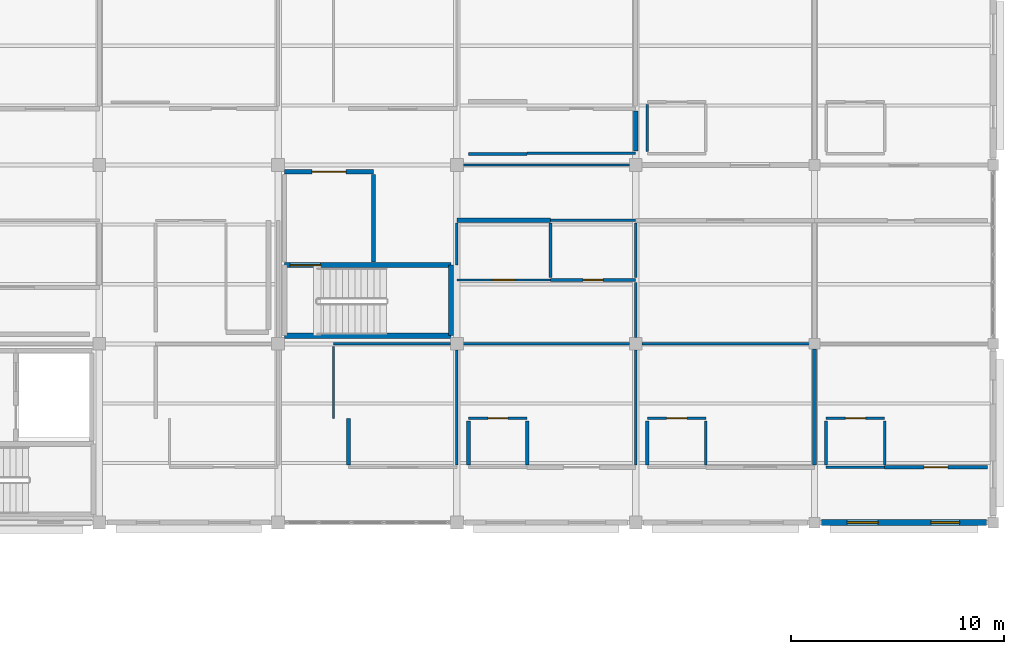
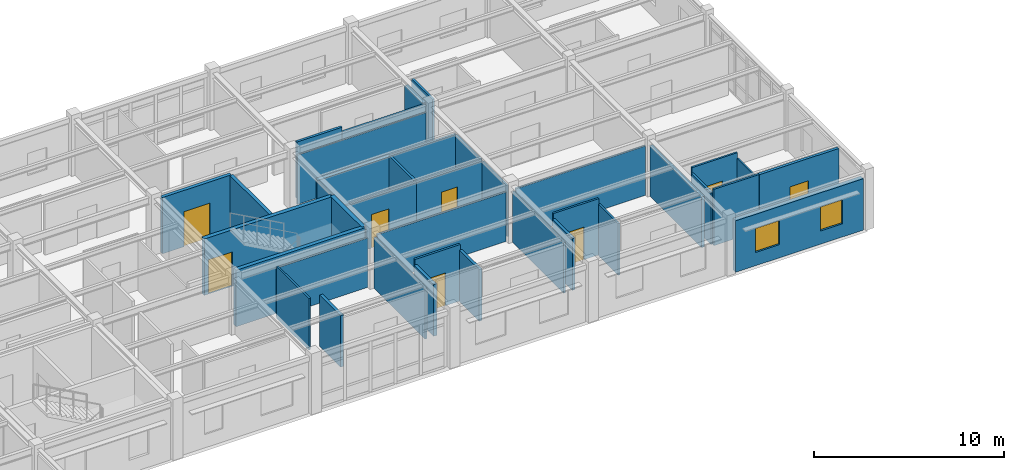
# One storey, part 68 of 86: 38 walls, 8 doors, 2 windows, 10 openings.
"""IFC4 building model written with IfcOpenShell, lengths in metres."""

from ifc_helpers import new_model, si_unit, direction, frame, frame_2d, origin, place, context, subcontext, project, spatial, rectangle, extrude, material, layer, layer_set, type_object, element, fill, save


model = new_model("IFC4")

# Units and contexts
model_context = context("Model", 3, precision=1e-05, world=origin(), true_north=direction((0.0, 1.0)))
body_context = subcontext(model_context, "Body", "Model", "MODEL_VIEW")
ifc_project = project(units=[si_unit("LENGTHUNIT", "METRE"), si_unit("AREAUNIT", "SQUARE_METRE"), si_unit("VOLUMEUNIT", "CUBIC_METRE"), si_unit("PLANEANGLEUNIT", "RADIAN"), si_unit("MASSUNIT", "GRAM", prefix="KILO")], contexts=[model_context])

# Site, building, storey
site_placement = place(None, origin())
site = spatial("IfcSite", under=ifc_project, at=site_placement, CompositionType="ELEMENT")
building_placement = place(site_placement, origin())
building = spatial("IfcBuilding", under=site, at=building_placement, Name="Bramfleet General Hospital", CompositionType="ELEMENT")
storey_placement = place(building_placement, frame((0.0, 0.0, 18.60009765625)))
storey = spatial("IfcBuildingStorey", under=building, at=storey_placement, Name="L04", CompositionType="ELEMENT", Elevation=18.60009765625)

# Wall, openings, windows
ifc_material_1 = material(Name="Precast concrete C40/50", Category="concrete")
ifc_layer_1 = layer(ifc_material_1, 0.280029296875, Name="WT-EW-06")
ifc_layer_set_1 = layer_set([ifc_layer_1], Name="Precast concrete C40/50")
wall_type_1 = type_object("IfcWallType", Name="WT-EW-06", PredefinedType="SOLIDWALL", material=ifc_layer_set_1)
wall_1_placement = place(storey_placement, frame((167.675048828125, 92.39990234375, 0.0), z_axis=(0.0, 0.0, 1.0), x_axis=(-1.0, 0.0, 0.0)))
wall_1 = element("IfcWall", 1, at=wall_1_placement, inside=storey, type_object=wall_type_1, Name="L04 Exterior Wall 298", PredefinedType="SOLIDWALL", context=body_context, shape_type="SweptSolid", body=[
    extrude(rectangle(XDim=7.75, YDim=0.280029296875, at=frame_2d((3.875, 0.0))), origin(), (0.0, 0.0, 1.0), 3.2998046875),
])
opening_1_placement = place(wall_1_placement, frame((1.262451171875, 0.0, 0.85009765625)))
opening_1 = element("IfcOpeningElement", 2, at=opening_1_placement, cuts=wall_1, Name="Opening W-24", PredefinedType="OPENING", context=body_context, shape_type="SweptSolid", body=[
    extrude(rectangle(XDim=1.35009765625, YDim=1.5400390625, at=frame_2d((0.675048828125, 0.77001953125))), frame((0.0, 0.14990234375, 0.0), z_axis=(0.0, -1.0, 0.0), x_axis=(1.0, 0.0, 0.0)), (0.0, 0.0, 1.0), 0.300048828125),
])
opening_2_placement = place(wall_1_placement, frame((5.08740234375, 0.0, 0.85009765625)))
opening_2 = element("IfcOpeningElement", 3, at=opening_2_placement, cuts=wall_1, Name="Opening W-25", PredefinedType="OPENING", context=body_context, shape_type="SweptSolid", body=[
    extrude(rectangle(XDim=1.449951171875, YDim=1.5400390625, at=frame_2d((0.72509765625, 0.77001953125))), frame((0.0, 0.14990234375, 0.0), z_axis=(0.0, -1.0, 0.0), x_axis=(1.0, 0.0, 0.0)), (0.0, 0.0, 1.0), 0.300048828125),
])
ifc_material_2 = material(Name="Anodised aluminium and low-E triple glazing", Category="aluminium")
window_type_1 = type_object("IfcWindowType", Name="WIN-W-24", PartitioningType="SINGLE_PANEL", PredefinedType="WINDOW", material=ifc_material_2)
window_1_placement = place(opening_1_placement, origin())
window_1 = element("IfcWindow", 4, at=window_1_placement, inside=storey, type_object=window_type_1, Name="L04 Facade Window WIN-L04-298-1", OverallHeight=1.5400390625, OverallWidth=1.35009765625, PartitioningType="SINGLE_PANEL", PredefinedType="WINDOW", context=body_context, shape_type="SweptSolid", body=[
    extrude(rectangle(XDim=1.35009765625, YDim=1.5400390625, at=frame_2d((0.675048828125, 0.77001953125))), frame((0.0, 0.030029296875, 0.0), z_axis=(0.0, -1.0, 0.0), x_axis=(1.0, 0.0, 0.0)), (0.0, 0.0, 1.0), 0.06005859375),
])
fill(opening_1, window_1)
window_type_2 = type_object("IfcWindowType", Name="WIN-W-25", PartitioningType="SINGLE_PANEL", PredefinedType="WINDOW", material=ifc_material_2)
window_2_placement = place(opening_2_placement, origin())
window_2 = element("IfcWindow", 5, at=window_2_placement, inside=storey, type_object=window_type_2, Name="L04 Facade Window WIN-L04-298-2", OverallHeight=1.5400390625, OverallWidth=1.449951171875, PartitioningType="SINGLE_PANEL", PredefinedType="WINDOW", context=body_context, shape_type="SweptSolid", body=[
    extrude(rectangle(XDim=1.449951171875, YDim=1.5400390625, at=frame_2d((0.72509765625, 0.77001953125))), frame((0.0, 0.030029296875, 0.0), z_axis=(0.0, -1.0, 0.0), x_axis=(1.0, 0.0, 0.0)), (0.0, 0.0, 1.0), 0.06005859375),
])
fill(opening_2, window_2)

# Walls
ifc_material_3 = material(Name="Concrete C35/45", Category="concrete")
ifc_layer_2 = layer(ifc_material_3, 0.219970703125, Name="WT-IW-01")
ifc_layer_set_2 = layer_set([ifc_layer_2], Name="Concrete C35/45")
wall_type_2 = type_object("IfcWallType", Name="WT-IW-01", PredefinedType="PARTITIONING", material=ifc_layer_set_2)
wall_2_placement = place(storey_placement, frame((142.800048828125, 106.60009765625, 0.0), z_axis=(0.0, 0.0, 1.0), x_axis=(1.0, 0.0, 0.0)))
element("IfcWall", 6, at=wall_2_placement, inside=storey, type_object=wall_type_2, Name="L04 Interior Partition IW-L04-3241", PredefinedType="PARTITIONING", context=body_context, shape_type="SweptSolid", body=[
    extrude(rectangle(XDim=4.39990234375, YDim=0.219970703125, at=frame_2d((2.199951171875, 0.0))), origin(), (0.0, 0.0, 1.0), 3.260009765625),
])
ifc_layer_3 = layer(ifc_material_3, 0.205078125, Name="WT-IW-02")
ifc_layer_set_3 = layer_set([ifc_layer_3], Name="Concrete C35/45")
wall_type_3 = type_object("IfcWallType", Name="WT-IW-02", PredefinedType="PARTITIONING", material=ifc_layer_set_3)
wall_3_placement = place(storey_placement, frame((138.8798828125, 104.639892578125, 0.0), z_axis=(0.0, 0.0, 1.0), x_axis=(0.0, 1.0, 0.0)))
element("IfcWall", 7, at=wall_3_placement, inside=storey, type_object=wall_type_3, Name="L04 C9 Lobby East Shaft Wall", PredefinedType="PARTITIONING", context=body_context, shape_type="SweptSolid", body=[
    extrude(rectangle(XDim=4.1201171875, YDim=0.205078125, at=frame_2d((2.06005859375, 0.0))), origin(), (0.0, 0.0, 1.0), 3.60986328125),
])

# Wall, opening, door
wall_4_placement = place(storey_placement, frame((134.699951171875, 108.8798828125, 0.0), z_axis=(0.0, 0.0, 1.0), x_axis=(1.0, 0.0, 0.0)))
wall_4 = element("IfcWall", 8, at=wall_4_placement, inside=storey, type_object=wall_type_3, Name="L04 C9 Lobby North Compartment Wall", PredefinedType="PARTITIONING", context=body_context, shape_type="SweptSolid", body=[
    extrude(rectangle(XDim=4.179931640625, YDim=0.205078125, at=frame_2d((2.08984375, 0.0))), origin(), (0.0, 0.0, 1.0), 3.60986328125),
])
opening_3_placement = place(wall_4_placement, frame((1.2900390625, 0.0, 0.0)))
opening_3 = element("IfcOpeningElement", 9, at=opening_3_placement, cuts=wall_4, Name="Opening D0118", PredefinedType="OPENING", context=body_context, shape_type="SweptSolid", body=[
    extrude(rectangle(XDim=1.60009765625, YDim=2.25, at=frame_2d((0.800048828125, 1.125))), frame((0.0, 0.112548828125, 0.0), z_axis=(0.0, -1.0, 0.0), x_axis=(1.0, 0.0, 0.0)), (0.0, 0.0, 1.0), 0.22509765625),
])
ifc_material_4 = material(Name="Stainless steel and acoustic timber leaf", Category="steel")
door_type_1 = type_object("IfcDoorType", Name="DR-D-04", OperationType="NOTDEFINED", PredefinedType="DOOR", material=ifc_material_4)
door_1_placement = place(opening_3_placement, origin())
door_1 = element("IfcDoor", 10, at=door_1_placement, inside=storey, type_object=door_type_1, Name="L04 C9 Lobby Fire Door D0118", OperationType="DOUBLE_SWING_LEFT", OverallHeight=2.25, OverallWidth=1.60009765625, PredefinedType="DOOR", context=body_context, shape_type="SweptSolid", body=[
    extrude(rectangle(XDim=1.60009765625, YDim=2.25, at=frame_2d((0.800048828125, 1.125))), frame((0.0, 0.02490234375, 0.0), z_axis=(0.0, -1.0, 0.0), x_axis=(1.0, 0.0, 0.0)), (0.0, 0.0, 1.0), 0.050048828125),
])
fill(opening_3, door_1)

# Walls
wall_5_placement = place(storey_placement, frame((151.199951171875, 109.864990234375, 0.0), z_axis=(0.0, 0.0, 1.0), x_axis=(0.0, 1.0, 0.0)))
element("IfcWall", 11, at=wall_5_placement, inside=storey, type_object=wall_type_3, Name="L04 Interior Partition IW-L04-3470", PredefinedType="PARTITIONING", context=body_context, shape_type="SweptSolid", body=[
    extrude(rectangle(XDim=1.8701171875, YDim=0.205078125, at=frame_2d((0.93505859375, 0.0))), origin(), (0.0, 0.0, 1.0), 3.260009765625),
])
ifc_layer_4 = layer(ifc_material_3, 0.18994140625, Name="WT-IW-03")
ifc_layer_set_4 = layer_set([ifc_layer_4], Name="Concrete C35/45")
wall_type_4 = type_object("IfcWallType", Name="WT-IW-03", PredefinedType="PARTITIONING", material=ifc_layer_set_4)
wall_6_placement = place(storey_placement, frame((137.699951171875, 95.114990234375, 0.0), z_axis=(0.0, 0.0, 1.0), x_axis=(0.0, 1.0, 0.0)))
element("IfcWall", 12, at=wall_6_placement, inside=storey, type_object=wall_type_4, Name="L04 Interior Partition IW-L04-3447", PredefinedType="PARTITIONING", context=body_context, shape_type="SweptSolid", body=[
    extrude(rectangle(XDim=2.18505859375, YDim=0.18994140625, at=frame_2d((1.092529296875, 0.0))), origin(), (0.0, 0.0, 1.0), 3.309814453125),
])
wall_7_placement = place(storey_placement, frame((143.35009765625, 95.114990234375, 0.0), z_axis=(0.0, 0.0, 1.0), x_axis=(0.0, 1.0, 0.0)))
element("IfcWall", 13, at=wall_7_placement, inside=storey, type_object=wall_type_4, Name="L04 Interior Partition IW-L04-3459", PredefinedType="PARTITIONING", context=body_context, shape_type="SweptSolid", body=[
    extrude(rectangle(XDim=2.070068359375, YDim=0.18994140625, at=frame_2d((1.03515625, 0.0))), origin(), (0.0, 0.0, 1.0), 3.309814453125),
])
wall_8_placement = place(storey_placement, frame((159.60009765625, 95.114990234375, 0.0), z_axis=(0.0, 0.0, 1.0), x_axis=(0.0, 1.0, 0.0)))
element("IfcWall", 14, at=wall_8_placement, inside=storey, type_object=wall_type_4, Name="L04 Interior Partition IW-L04-3483", PredefinedType="PARTITIONING", context=body_context, shape_type="SweptSolid", body=[
    extrude(rectangle(XDim=5.43994140625, YDim=0.18994140625, at=frame_2d((2.719970703125, 0.0))), origin(), (0.0, 0.0, 1.0), 3.25),
])

# Wall, opening, door
ifc_material_5 = material(Name="Gypsum plasterboard on acoustic steel studs", Category="steel")
ifc_layer_5 = layer(ifc_material_5, 0.169921875, Name="WT-IW-05")
ifc_layer_set_5 = layer_set([ifc_layer_5], Name="Gypsum plasterboard on acoustic steel studs")
wall_type_5 = type_object("IfcWallType", Name="WT-IW-05", PredefinedType="PARTITIONING", material=ifc_layer_set_5)
wall_9_placement = place(storey_placement, frame((162.89990234375, 95.0, 0.0), z_axis=(0.0, 0.0, 1.0), x_axis=(1.0, 0.0, 0.0)))
wall_9 = element("IfcWall", 15, at=wall_9_placement, inside=storey, type_object=wall_type_5, Name="L04 Interior Partition IW-L04-3197", PredefinedType="PARTITIONING", context=body_context, shape_type="SweptSolid", body=[
    extrude(rectangle(XDim=4.820068359375, YDim=0.169921875, at=frame_2d((2.41015625, 0.0))), origin(), (0.0, 0.0, 1.0), 3.60986328125),
])
opening_4_placement = place(wall_9_placement, frame((1.85009765625, 0.0, 0.0)))
opening_4 = element("IfcOpeningElement", 16, at=opening_4_placement, cuts=wall_9, Name="Opening D1339", PredefinedType="OPENING", context=body_context, shape_type="SweptSolid", body=[
    extrude(rectangle(XDim=1.1201171875, YDim=2.179931640625, at=frame_2d((0.56005859375, 1.08984375))), frame((0.0, 0.094970703125, 0.0), z_axis=(0.0, -1.0, 0.0), x_axis=(1.0, 0.0, 0.0)), (0.0, 0.0, 1.0), 0.18994140625),
])
door_type_2 = type_object("IfcDoorType", Name="DR-D-27", OperationType="NOTDEFINED", PredefinedType="DOOR", material=ifc_material_4)
door_2_placement = place(opening_4_placement, origin())
door_2 = element("IfcDoor", 17, at=door_2_placement, inside=storey, type_object=door_type_2, Name="Surgical Inpatient Ward Bedroom L04-1911 Door D1339", OperationType="SINGLE_SWING_RIGHT", OverallHeight=2.179931640625, OverallWidth=1.1201171875, PredefinedType="DOOR", context=body_context, shape_type="SweptSolid", body=[
    extrude(rectangle(XDim=1.1201171875, YDim=2.179931640625, at=frame_2d((0.56005859375, 1.08984375))), frame((0.0, 0.02490234375, 0.0), z_axis=(0.0, -1.0, 0.0), x_axis=(1.0, 0.0, 0.0)), (0.0, 0.0, 1.0), 0.050048828125),
])
fill(opening_4, door_2)

# Walls
ifc_layer_6 = layer(ifc_material_5, 0.159912109375, Name="WT-IW-06")
ifc_layer_set_6 = layer_set([ifc_layer_6], Name="Gypsum plasterboard on acoustic steel studs")
wall_type_6 = type_object("IfcWallType", Name="WT-IW-06", PredefinedType="PARTITIONING", material=ifc_layer_set_6)
for number, where, z_axis, x_axis, name in (
    (18, (146.10009765625, 95.114990234375, 0.0), (0.0, 0.0, 1.0), (0.0, 1.0, 0.0), "L04 Interior Partition IW-L04-3462"),
    (19, (151.75, 95.114990234375, 0.0), (0.0, 0.0, 1.0), (0.0, 1.0, 0.0), "L04 Interior Partition IW-L04-3474"),
):
    element("IfcWall", number, at=place(storey_placement, frame(where, z_axis=z_axis, x_axis=x_axis)), inside=storey, type_object=wall_type_6, Name=name, PredefinedType="PARTITIONING", context=body_context, shape_type="SweptSolid", body=[
        extrude(rectangle(XDim=2.070068359375, YDim=0.159912109375, at=frame_2d((1.03515625, 0.0))), origin(), (0.0, 0.0, 1.0), 3.309814453125),
    ])
ifc_layer_7 = layer(ifc_material_5, 0.14990234375, Name="WT-IW-07")
ifc_layer_set_7 = layer_set([ifc_layer_7], Name="Gypsum plasterboard on acoustic steel studs")
wall_type_7 = type_object("IfcWallType", Name="WT-IW-07", PredefinedType="PARTITIONING", material=ifc_layer_set_7)
wall_10_placement = place(storey_placement, frame((143.35009765625, 109.719970703125, 0.0), z_axis=(0.0, 0.0, 1.0), x_axis=(1.0, 0.0, 0.0)))
element("IfcWall", 20, at=wall_10_placement, inside=storey, type_object=wall_type_7, Name="L04 Interior Partition IW-L04-3259", PredefinedType="PARTITIONING", context=body_context, shape_type="SweptSolid", body=[
    extrude(rectangle(XDim=2.75, YDim=0.14990234375, at=frame_2d((1.375, 0.0))), origin(), (0.0, 0.0, 1.0), 3.60986328125),
])
wall_11_placement = place(storey_placement, frame((147.199951171875, 103.9150390625, 0.0), z_axis=(0.0, 0.0, 1.0), x_axis=(0.0, 1.0, 0.0)))
element("IfcWall", 21, at=wall_11_placement, inside=storey, type_object=wall_type_7, Name="L04 Interior Partition IW-L04-3463", PredefinedType="PARTITIONING", context=body_context, shape_type="SweptSolid", body=[
    extrude(rectangle(XDim=2.570068359375, YDim=0.14990234375, at=frame_2d((1.28515625, 0.0))), origin(), (0.0, 0.0, 1.0), 3.309814453125),
])
ifc_layer_8 = layer(ifc_material_5, 0.139892578125, Name="WT-IW-08")
ifc_layer_set_8 = layer_set([ifc_layer_8], Name="Gypsum plasterboard on acoustic steel studs")
wall_type_8 = type_object("IfcWallType", Name="WT-IW-08", PredefinedType="PARTITIONING", material=ifc_layer_set_8)
wall_12_placement = place(storey_placement, frame((160.14990234375, 95.114990234375, 0.0), z_axis=(0.0, 0.0, 1.0), x_axis=(0.0, 1.0, 0.0)))
element("IfcWall", 22, at=wall_12_placement, inside=storey, type_object=wall_type_8, Name="L04 Interior Partition IW-L04-3488", PredefinedType="PARTITIONING", context=body_context, shape_type="SweptSolid", body=[
    extrude(rectangle(XDim=2.070068359375, YDim=0.139892578125, at=frame_2d((1.03515625, 0.0))), origin(), (0.0, 0.0, 1.0), 3.2998046875),
])

# Wall, opening, door
ifc_layer_9 = layer(ifc_material_5, 0.1298828125, Name="WT-IW-09")
ifc_layer_set_9 = layer_set([ifc_layer_9], Name="Gypsum plasterboard on acoustic steel studs")
wall_type_9 = type_object("IfcWallType", Name="WT-IW-09", PredefinedType="PARTITIONING", material=ifc_layer_set_9)
wall_13_placement = place(storey_placement, frame((143.35009765625, 97.300048828125, 0.0), z_axis=(0.0, 0.0, 1.0), x_axis=(1.0, 0.0, 0.0)))
wall_13 = element("IfcWall", 23, at=wall_13_placement, inside=storey, type_object=wall_type_9, Name="L04 Interior Partition IW-L04-3201", PredefinedType="PARTITIONING", context=body_context, shape_type="SweptSolid", body=[
    extrude(rectangle(XDim=2.75, YDim=0.1298828125, at=frame_2d((1.375, 0.0))), origin(), (0.0, 0.0, 1.0), 3.60986328125),
])
opening_5_placement = place(wall_13_placement, frame((0.89990234375, 0.0, 0.0)))
opening_5 = element("IfcOpeningElement", 24, at=opening_5_placement, cuts=wall_13, Name="Opening D1320", PredefinedType="OPENING", context=body_context, shape_type="SweptSolid", body=[
    extrude(rectangle(XDim=0.949951171875, YDim=2.10009765625, at=frame_2d((0.47509765625, 1.050048828125))), frame((0.0, 0.074951171875, 0.0), z_axis=(0.0, -1.0, 0.0), x_axis=(1.0, 0.0, 0.0)), (0.0, 0.0, 1.0), 0.14990234375),
])
door_type_3 = type_object("IfcDoorType", Name="DR-D-10", OperationType="NOTDEFINED", PredefinedType="DOOR", material=ifc_material_4)
door_3_placement = place(opening_5_placement, origin())
door_3 = element("IfcDoor", 25, at=door_3_placement, inside=storey, type_object=door_type_3, Name="En-Suite Bathroom L04-1711 Door D1320", OperationType="SINGLE_SWING_LEFT", OverallHeight=2.10009765625, OverallWidth=0.949951171875, PredefinedType="DOOR", context=body_context, shape_type="SweptSolid", body=[
    extrude(rectangle(XDim=0.949951171875, YDim=2.10009765625, at=frame_2d((0.47509765625, 1.050048828125))), frame((0.0, 0.02490234375, 0.0), z_axis=(0.0, -1.0, 0.0), x_axis=(1.0, 0.0, 0.0)), (0.0, 0.0, 1.0), 0.050048828125),
])
fill(opening_5, door_3)

# Walls
wall_14_placement = place(storey_placement, frame((137.0, 100.800048828125, 0.0), z_axis=(0.0, 0.0, 1.0), x_axis=(1.0, 0.0, 0.0)))
element("IfcWall", 26, at=wall_14_placement, inside=storey, type_object=wall_type_9, Name="L04 Interior Partition IW-L04-3213", PredefinedType="PARTITIONING", context=body_context, shape_type="SweptSolid", body=[
    extrude(rectangle(XDim=5.5048828125, YDim=0.1298828125, at=frame_2d((2.75244140625, 0.0))), origin(), (0.0, 0.0, 1.0), 3.159912109375),
])
ifc_layer_10 = layer(ifc_material_5, 0.1201171875, Name="WT-IW-10")
ifc_layer_set_10 = layer_set([ifc_layer_10], Name="Gypsum plasterboard on acoustic steel studs")
wall_type_10 = type_object("IfcWallType", Name="WT-IW-10", PredefinedType="PARTITIONING", material=ifc_layer_set_10)
wall_15_placement = place(storey_placement, frame((160.14990234375, 95.0, 0.0), z_axis=(0.0, 0.0, 1.0), x_axis=(1.0, 0.0, 0.0)))
element("IfcWall", 27, at=wall_15_placement, inside=storey, type_object=wall_type_10, Name="L04 Interior Partition IW-L04-3196", PredefinedType="PARTITIONING", context=body_context, shape_type="SweptSolid", body=[
    extrude(rectangle(XDim=2.75, YDim=0.1201171875, at=frame_2d((1.375, 0.0))), origin(), (0.0, 0.0, 1.0), 3.60986328125),
])

# Wall, opening, door
wall_16_placement = place(storey_placement, frame((151.75, 97.300048828125, 0.0), z_axis=(0.0, 0.0, 1.0), x_axis=(1.0, 0.0, 0.0)))
wall_16 = element("IfcWall", 28, at=wall_16_placement, inside=storey, type_object=wall_type_10, Name="L04 Interior Partition IW-L04-3202", PredefinedType="PARTITIONING", context=body_context, shape_type="SweptSolid", body=[
    extrude(rectangle(XDim=2.75, YDim=0.1201171875, at=frame_2d((1.375, 0.0))), origin(), (0.0, 0.0, 1.0), 3.60986328125),
])
opening_6_placement = place(wall_16_placement, frame((0.89990234375, 0.0, 0.0)))
opening_6 = element("IfcOpeningElement", 29, at=opening_6_placement, cuts=wall_16, Name="Opening D1330", PredefinedType="OPENING", context=body_context, shape_type="SweptSolid", body=[
    extrude(rectangle(XDim=0.949951171875, YDim=2.10009765625, at=frame_2d((0.47509765625, 1.050048828125))), frame((0.0, 0.070068359375, 0.0), z_axis=(0.0, -1.0, 0.0), x_axis=(1.0, 0.0, 0.0)), (0.0, 0.0, 1.0), 0.14013671875),
])
door_4_placement = place(opening_6_placement, origin())
door_4 = element("IfcDoor", 30, at=door_4_placement, inside=storey, type_object=door_type_3, Name="En-Suite Bathroom L04-1811 Door D1330", OperationType="SINGLE_SWING_LEFT", OverallHeight=2.10009765625, OverallWidth=0.949951171875, PredefinedType="DOOR", context=body_context, shape_type="SweptSolid", body=[
    extrude(rectangle(XDim=0.949951171875, YDim=2.10009765625, at=frame_2d((0.47509765625, 1.050048828125))), frame((0.0, 0.02490234375, 0.0), z_axis=(0.0, -1.0, 0.0), x_axis=(1.0, 0.0, 0.0)), (0.0, 0.0, 1.0), 0.050048828125),
])
fill(opening_6, door_4)

# Wall
wall_17_placement = place(storey_placement, frame((143.094970703125, 100.800048828125, 0.0), z_axis=(0.0, 0.0, 1.0), x_axis=(1.0, 0.0, 0.0)))
element("IfcWall", 31, at=wall_17_placement, inside=storey, type_object=wall_type_10, Name="L04 Interior Partition IW-L04-3214", PredefinedType="PARTITIONING", context=body_context, shape_type="SweptSolid", body=[
    extrude(rectangle(XDim=7.81005859375, YDim=0.1201171875, at=frame_2d((3.905029296875, 0.0))), origin(), (0.0, 0.0, 1.0), 3.159912109375),
])

# Wall, opening, door
wall_18_placement = place(storey_placement, frame((147.199951171875, 103.800048828125, 0.0), z_axis=(0.0, 0.0, 1.0), x_axis=(1.0, 0.0, 0.0)))
wall_18 = element("IfcWall", 32, at=wall_18_placement, inside=storey, type_object=wall_type_10, Name="L04 Interior Partition IW-L04-3228", PredefinedType="PARTITIONING", context=body_context, shape_type="SweptSolid", body=[
    extrude(rectangle(XDim=4.0, YDim=0.1201171875, at=frame_2d((2.0, 0.0))), origin(), (0.0, 0.0, 1.0), 3.260009765625),
])
opening_7_placement = place(wall_18_placement, frame((1.52490234375, 0.0, 0.0)))
opening_7 = element("IfcOpeningElement", 33, at=opening_7_placement, cuts=wall_18, Name="Opening D1322", PredefinedType="OPENING", context=body_context, shape_type="SweptSolid", body=[
    extrude(rectangle(XDim=0.949951171875, YDim=2.10009765625, at=frame_2d((0.47509765625, 1.050048828125))), frame((0.0, 0.070068359375, 0.0), z_axis=(0.0, -1.0, 0.0), x_axis=(1.0, 0.0, 0.0)), (0.0, 0.0, 1.0), 0.14013671875),
])
door_5_placement = place(opening_7_placement, origin())
door_5 = element("IfcDoor", 34, at=door_5_placement, inside=storey, type_object=door_type_3, Name="L04 Accessible and Staff WC 1712 Door D1322", OperationType="SINGLE_SWING_LEFT", OverallHeight=2.10009765625, OverallWidth=0.949951171875, PredefinedType="DOOR", context=body_context, shape_type="SweptSolid", body=[
    extrude(rectangle(XDim=0.949951171875, YDim=2.10009765625, at=frame_2d((0.47509765625, 1.050048828125))), frame((0.0, 0.02490234375, 0.0), z_axis=(0.0, -1.0, 0.0), x_axis=(1.0, 0.0, 0.0)), (0.0, 0.0, 1.0), 0.050048828125),
])
fill(opening_7, door_5)

# Walls
wall_19_placement = place(storey_placement, frame((147.199951171875, 106.60009765625, 0.0), z_axis=(0.0, 0.0, 1.0), x_axis=(1.0, 0.0, 0.0)))
element("IfcWall", 35, at=wall_19_placement, inside=storey, type_object=wall_type_10, Name="L04 Interior Partition IW-L04-3242", PredefinedType="PARTITIONING", context=body_context, shape_type="SweptSolid", body=[
    extrude(rectangle(XDim=4.0, YDim=0.1201171875, at=frame_2d((2.0, 0.0))), origin(), (0.0, 0.0, 1.0), 3.260009765625),
])
wall_20_placement = place(storey_placement, frame((146.10009765625, 109.75, 0.0), z_axis=(0.0, 0.0, 1.0), x_axis=(1.0, 0.0, 0.0)))
element("IfcWall", 36, at=wall_20_placement, inside=storey, type_object=wall_type_10, Name="L04 Interior Partition IW-L04-3262", PredefinedType="PARTITIONING", context=body_context, shape_type="SweptSolid", body=[
    extrude(rectangle(XDim=5.099853515625, YDim=0.1201171875, at=frame_2d((2.5498046875, 0.0))), origin(), (0.0, 0.0, 1.0), 3.260009765625),
])
wall_21_placement = place(storey_placement, frame((142.800048828125, 95.114990234375, 0.0), z_axis=(0.0, 0.0, 1.0), x_axis=(0.0, 1.0, 0.0)))
element("IfcWall", 37, at=wall_21_placement, inside=storey, type_object=wall_type_10, Name="L04 Interior Partition IW-L04-3454", PredefinedType="PARTITIONING", context=body_context, shape_type="SweptSolid", body=[
    extrude(rectangle(XDim=5.389892578125, YDim=0.1201171875, at=frame_2d((2.69482421875, 0.0))), origin(), (0.0, 0.0, 1.0), 3.260009765625),
])
wall_22_placement = place(storey_placement, frame((151.199951171875, 103.9150390625, 0.0), z_axis=(0.0, 0.0, 1.0), x_axis=(0.0, 1.0, 0.0)))
element("IfcWall", 38, at=wall_22_placement, inside=storey, type_object=wall_type_10, Name="L04 Interior Partition IW-L04-3469", PredefinedType="PARTITIONING", context=body_context, shape_type="SweptSolid", body=[
    extrude(rectangle(XDim=2.570068359375, YDim=0.1201171875, at=frame_2d((1.28515625, 0.0))), origin(), (0.0, 0.0, 1.0), 3.260009765625),
])
wall_23_placement = place(storey_placement, frame((151.75, 109.8349609375, 0.0), z_axis=(0.0, 0.0, 1.0), x_axis=(0.0, 1.0, 0.0)))
element("IfcWall", 39, at=wall_23_placement, inside=storey, type_object=wall_type_10, Name="L04 Interior Partition IW-L04-3475", PredefinedType="PARTITIONING", context=body_context, shape_type="SweptSolid", body=[
    extrude(rectangle(XDim=2.219970703125, YDim=0.1201171875, at=frame_2d((1.10986328125, 0.0))), origin(), (0.0, 0.0, 1.0), 3.309814453125),
])
wall_24_placement = place(storey_placement, frame((154.5, 95.114990234375, 0.0), z_axis=(0.0, 0.0, 1.0), x_axis=(0.0, 1.0, 0.0)))
element("IfcWall", 40, at=wall_24_placement, inside=storey, type_object=wall_type_10, Name="L04 Interior Partition IW-L04-3478", PredefinedType="PARTITIONING", context=body_context, shape_type="SweptSolid", body=[
    extrude(rectangle(XDim=2.070068359375, YDim=0.1201171875, at=frame_2d((1.03515625, 0.0))), origin(), (0.0, 0.0, 1.0), 3.309814453125),
])

# Wall, opening, door
ifc_layer_11 = layer(ifc_material_5, 0.112060546875, Name="WT-IW-11")
ifc_layer_set_11 = layer_set([ifc_layer_11], Name="Gypsum plasterboard on acoustic steel studs")
wall_type_11 = type_object("IfcWallType", Name="WT-IW-11", PredefinedType="PARTITIONING", material=ifc_layer_set_11)
wall_25_placement = place(storey_placement, frame((160.14990234375, 97.300048828125, 0.0), z_axis=(0.0, 0.0, 1.0), x_axis=(1.0, 0.0, 0.0)))
wall_25 = element("IfcWall", 41, at=wall_25_placement, inside=storey, type_object=wall_type_11, Name="L04 Interior Partition IW-L04-3203", PredefinedType="PARTITIONING", context=body_context, shape_type="SweptSolid", body=[
    extrude(rectangle(XDim=2.75, YDim=0.112060546875, at=frame_2d((1.375, 0.0))), origin(), (0.0, 0.0, 1.0), 3.60986328125),
])
opening_8_placement = place(wall_25_placement, frame((0.89990234375, 0.0, 0.0)))
opening_8 = element("IfcOpeningElement", 42, at=opening_8_placement, cuts=wall_25, Name="Opening D1340", PredefinedType="OPENING", context=body_context, shape_type="SweptSolid", body=[
    extrude(rectangle(XDim=0.949951171875, YDim=2.10009765625, at=frame_2d((0.47509765625, 1.050048828125))), frame((0.0, 0.06591796875, 0.0), z_axis=(0.0, -1.0, 0.0), x_axis=(1.0, 0.0, 0.0)), (0.0, 0.0, 1.0), 0.132080078125),
])
door_6_placement = place(opening_8_placement, origin())
door_6 = element("IfcDoor", 43, at=door_6_placement, inside=storey, type_object=door_type_3, Name="En-Suite Bathroom L04-1911 Door D1340", OperationType="SINGLE_SWING_LEFT", OverallHeight=2.10009765625, OverallWidth=0.949951171875, PredefinedType="DOOR", context=body_context, shape_type="SweptSolid", body=[
    extrude(rectangle(XDim=0.949951171875, YDim=2.10009765625, at=frame_2d((0.47509765625, 1.050048828125))), frame((0.0, 0.02490234375, 0.0), z_axis=(0.0, -1.0, 0.0), x_axis=(1.0, 0.0, 0.0)), (0.0, 0.0, 1.0), 0.050048828125),
])
fill(opening_8, door_6)

# Wall
wall_26_placement = place(storey_placement, frame((151.4951171875, 100.800048828125, 0.0), z_axis=(0.0, 0.0, 1.0), x_axis=(1.0, 0.0, 0.0)))
element("IfcWall", 44, at=wall_26_placement, inside=storey, type_object=wall_type_11, Name="L04 Interior Partition IW-L04-3215", PredefinedType="PARTITIONING", context=body_context, shape_type="SweptSolid", body=[
    extrude(rectangle(XDim=7.85986328125, YDim=0.112060546875, at=frame_2d((3.929931640625, 0.0))), origin(), (0.0, 0.0, 1.0), 3.159912109375),
])

# Wall, opening, door
wall_27_placement = place(storey_placement, frame((142.800048828125, 103.800048828125, 0.0), z_axis=(0.0, 0.0, 1.0), x_axis=(1.0, 0.0, 0.0)))
wall_27 = element("IfcWall", 45, at=wall_27_placement, inside=storey, type_object=wall_type_11, Name="L04 Interior Partition IW-L04-3227", PredefinedType="PARTITIONING", context=body_context, shape_type="SweptSolid", body=[
    extrude(rectangle(XDim=4.39990234375, YDim=0.112060546875, at=frame_2d((2.199951171875, 0.0))), origin(), (0.0, 0.0, 1.0), 3.260009765625),
])
opening_9_placement = place(wall_27_placement, frame((1.675048828125, 0.0, 0.0)))
opening_9 = element("IfcOpeningElement", 46, at=opening_9_placement, cuts=wall_27, Name="Opening D1321", PredefinedType="OPENING", context=body_context, shape_type="SweptSolid", body=[
    extrude(rectangle(XDim=1.050048828125, YDim=2.14990234375, at=frame_2d((0.52490234375, 1.074951171875))), frame((0.0, 0.06591796875, 0.0), z_axis=(0.0, -1.0, 0.0), x_axis=(1.0, 0.0, 0.0)), (0.0, 0.0, 1.0), 0.132080078125),
])
door_type_4 = type_object("IfcDoorType", Name="DR-D-09", OperationType="NOTDEFINED", PredefinedType="DOOR", material=ifc_material_4)
door_7_placement = place(opening_9_placement, origin())
door_7 = element("IfcDoor", 47, at=door_7_placement, inside=storey, type_object=door_type_4, Name="Clean Medication and Treatment Room L04-1712 Door D1321", OperationType="SINGLE_SWING_RIGHT", OverallHeight=2.14990234375, OverallWidth=1.050048828125, PredefinedType="DOOR", context=body_context, shape_type="SweptSolid", body=[
    extrude(rectangle(XDim=1.050048828125, YDim=2.14990234375, at=frame_2d((0.52490234375, 1.074951171875))), frame((0.0, 0.02490234375, 0.0), z_axis=(0.0, -1.0, 0.0), x_axis=(1.0, 0.0, 0.0)), (0.0, 0.0, 1.0), 0.050048828125),
])
fill(opening_9, door_7)

# Walls
wall_28_placement = place(storey_placement, frame((137.0, 97.300048828125, 0.0), z_axis=(0.0, 0.0, 1.0), x_axis=(0.0, 1.0, 0.0)))
element("IfcWall", 48, at=wall_28_placement, inside=storey, type_object=wall_type_11, Name="L04 Interior Partition IW-L04-3443", PredefinedType="PARTITIONING", context=body_context, shape_type="SweptSolid", body=[
    extrude(rectangle(XDim=3.385009765625, YDim=0.112060546875, at=frame_2d((1.6923828125, 0.0))), origin(), (0.0, 0.0, 1.0), 3.309814453125),
])
wall_29_placement = place(storey_placement, frame((142.800048828125, 104.5, 0.0), z_axis=(0.0, 0.0, 1.0), x_axis=(0.0, 1.0, 0.0)))
element("IfcWall", 49, at=wall_29_placement, inside=storey, type_object=wall_type_11, Name="L04 Interior Partition IW-L04-3455", PredefinedType="PARTITIONING", context=body_context, shape_type="SweptSolid", body=[
    extrude(rectangle(XDim=1.985107421875, YDim=0.112060546875, at=frame_2d((0.99267578125, 0.0))), origin(), (0.0, 0.0, 1.0), 3.260009765625),
])
wall_30_placement = place(storey_placement, frame((151.199951171875, 95.114990234375, 0.0), z_axis=(0.0, 0.0, 1.0), x_axis=(0.0, 1.0, 0.0)))
element("IfcWall", 50, at=wall_30_placement, inside=storey, type_object=wall_type_11, Name="L04 Interior Partition IW-L04-3467", PredefinedType="PARTITIONING", context=body_context, shape_type="SweptSolid", body=[
    extrude(rectangle(XDim=5.389892578125, YDim=0.112060546875, at=frame_2d((2.69482421875, 0.0))), origin(), (0.0, 0.0, 1.0), 3.260009765625),
])
ifc_layer_12 = layer(ifc_material_5, 0.10009765625, Name="WT-IW-12")
ifc_layer_set_12 = layer_set([ifc_layer_12], Name="Gypsum plasterboard on acoustic steel studs")
wall_type_12 = type_object("IfcWallType", Name="WT-IW-12", PredefinedType="PARTITIONING", material=ifc_layer_set_12)
wall_31_placement = place(storey_placement, frame((143.094970703125, 109.199951171875, 0.0), z_axis=(0.0, 0.0, 1.0), x_axis=(1.0, 0.0, 0.0)))
element("IfcWall", 51, at=wall_31_placement, inside=storey, type_object=wall_type_12, Name="L04 Interior Partition IW-L04-3252", PredefinedType="PARTITIONING", context=body_context, shape_type="SweptSolid", body=[
    extrude(rectangle(XDim=7.81005859375, YDim=0.10009765625, at=frame_2d((3.905029296875, 0.0))), origin(), (0.0, 0.0, 1.0), 3.159912109375),
])
wall_32_placement = place(storey_placement, frame((151.199951171875, 101.094970703125, 0.0), z_axis=(0.0, 0.0, 1.0), x_axis=(0.0, 1.0, 0.0)))
element("IfcWall", 52, at=wall_32_placement, inside=storey, type_object=wall_type_12, Name="L04 Interior Partition IW-L04-3468", PredefinedType="PARTITIONING", context=body_context, shape_type="SweptSolid", body=[
    extrude(rectangle(XDim=2.590087890625, YDim=0.10009765625, at=frame_2d((1.294921875, 0.0))), origin(), (0.0, 0.0, 1.0), 3.260009765625),
])
wall_33_placement = place(storey_placement, frame((162.89990234375, 95.114990234375, 0.0), z_axis=(0.0, 0.0, 1.0), x_axis=(0.0, 1.0, 0.0)))
element("IfcWall", 53, at=wall_33_placement, inside=storey, type_object=wall_type_12, Name="L04 Interior Partition IW-L04-3492", PredefinedType="PARTITIONING", context=body_context, shape_type="SweptSolid", body=[
    extrude(rectangle(XDim=2.070068359375, YDim=0.10009765625, at=frame_2d((1.03515625, 0.0))), origin(), (0.0, 0.0, 1.0), 3.2998046875),
])
ifc_material_6 = material(Name="Concrete C40/50", Category="concrete")
ifc_layer_13 = layer(ifc_material_6, 0.239990234375, Name="WT-SW-240")
ifc_layer_set_13 = layer_set([ifc_layer_13], Name="Concrete C40/50")
wall_type_13 = type_object("IfcWallType", Name="WT-SW-240", PredefinedType="SHEAR", material=ifc_layer_set_13)
wall_34_placement = place(storey_placement, frame((134.699951171875, 101.179931640625, 0.0), z_axis=(0.0, 0.0, 1.0), x_axis=(1.0, 0.0, 0.0)))
element("IfcWall", 54, at=wall_34_placement, inside=storey, type_object=wall_type_13, Name="L04 C9 South Stair Shear Wall", PredefinedType="SHEAR", context=body_context, shape_type="SweptSolid", body=[
    extrude(rectangle(XDim=7.820068359375, YDim=0.239990234375, at=frame_2d((3.91015625, 0.0))), origin(), (0.0, 0.0, 1.0), 3.619873046875),
])
wall_35_placement = place(storey_placement, frame((142.52001953125, 101.179931640625, 0.0), z_axis=(0.0, 0.0, 1.0), x_axis=(0.0, 1.0, 0.0)))
element("IfcWall", 55, at=wall_35_placement, inside=storey, type_object=wall_type_13, Name="L04 C9 East Stair Shear Wall", PredefinedType="SHEAR", context=body_context, shape_type="SweptSolid", body=[
    extrude(rectangle(XDim=3.320068359375, YDim=0.239990234375, at=frame_2d((1.66015625, 0.0))), origin(), (0.0, 0.0, 1.0), 3.619873046875),
])

# Wall, opening, door
wall_36_placement = place(storey_placement, frame((134.699951171875, 104.5, 0.0), z_axis=(0.0, 0.0, 1.0), x_axis=(1.0, 0.0, 0.0)))
wall_36 = element("IfcWall", 56, at=wall_36_placement, inside=storey, type_object=wall_type_13, Name="L04 C9 Stair-Lobby Shear Wall", PredefinedType="SHEAR", context=body_context, shape_type="SweptSolid", body=[
    extrude(rectangle(XDim=7.820068359375, YDim=0.239990234375, at=frame_2d((3.91015625, 0.0))), origin(), (0.0, 0.0, 1.0), 3.619873046875),
])
opening_10_placement = place(wall_36_placement, frame((0.25, 0.0, 0.0)))
opening_10 = element("IfcOpeningElement", 57, at=opening_10_placement, cuts=wall_36, Name="Opening D0117", PredefinedType="OPENING", context=body_context, shape_type="SweptSolid", body=[
    extrude(rectangle(XDim=1.449951171875, YDim=2.199951171875, at=frame_2d((0.72509765625, 1.10009765625))), frame((0.0, 0.1298828125, 0.0), z_axis=(0.0, -1.0, 0.0), x_axis=(1.0, 0.0, 0.0)), (0.0, 0.0, 1.0), 0.260009765625),
])
door_type_5 = type_object("IfcDoorType", Name="DR-D-03", OperationType="NOTDEFINED", PredefinedType="DOOR", material=ifc_material_4)
door_8_placement = place(opening_10_placement, origin())
door_8 = element("IfcDoor", 58, at=door_8_placement, inside=storey, type_object=door_type_5, Name="L04 C9 Escape Stair Fire Door D0117", OperationType="SINGLE_SWING_RIGHT", OverallHeight=2.199951171875, OverallWidth=1.449951171875, PredefinedType="DOOR", context=body_context, shape_type="SweptSolid", body=[
    extrude(rectangle(XDim=1.449951171875, YDim=2.199951171875, at=frame_2d((0.72509765625, 1.10009765625))), frame((0.0, 0.02490234375, 0.0), z_axis=(0.0, -1.0, 0.0), x_axis=(1.0, 0.0, 0.0)), (0.0, 0.0, 1.0), 0.050048828125),
])
fill(opening_10, door_8)

save(model, "model.ifc")
